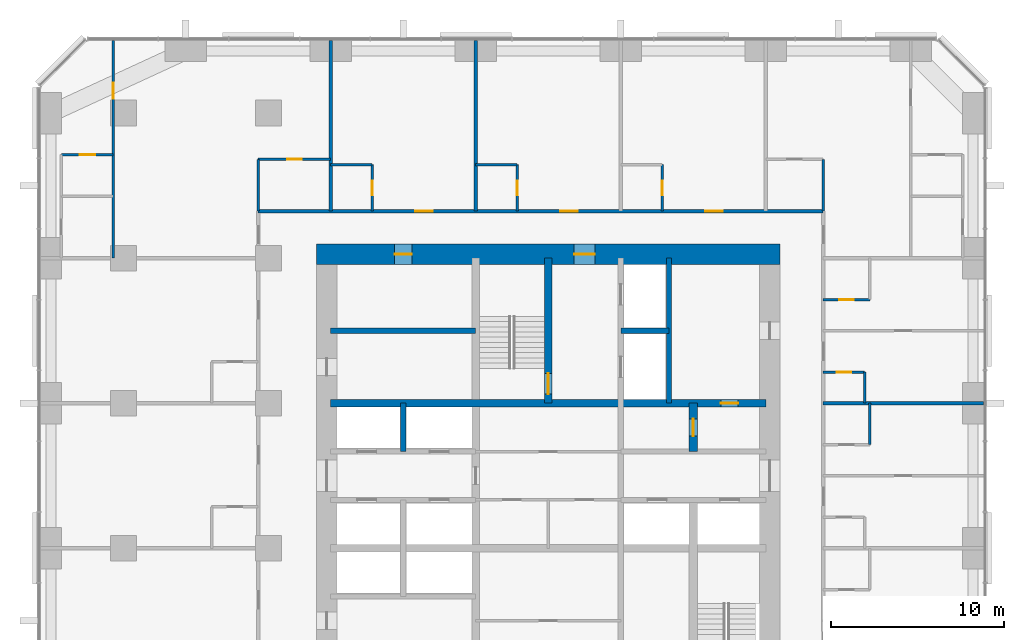
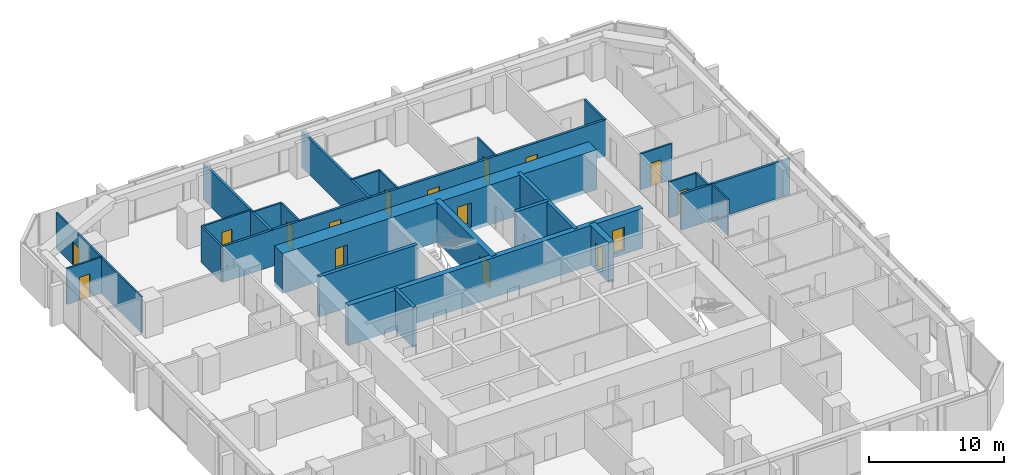
# One storey, part 11 of 13: 26 walls, 16 doors, 16 openings.
"""IFC4 building model written with IfcOpenShell, lengths in metres."""

from ifc_helpers import new_model, si_unit, direction, frame, frame_2d, origin, place, context, subcontext, project, spatial, rectangle, extrude, material, layer, layer_set, type_object, element, fill, save


model = new_model("IFC4")

# Units and contexts
model_context = context("Model", 3, precision=1e-05, world=origin(), true_north=direction((0.0, 1.0)))
body_context = subcontext(model_context, "Body", "Model", "MODEL_VIEW")
ifc_project = project(units=[si_unit("LENGTHUNIT", "METRE"), si_unit("AREAUNIT", "SQUARE_METRE"), si_unit("VOLUMEUNIT", "CUBIC_METRE"), si_unit("PLANEANGLEUNIT", "RADIAN"), si_unit("MASSUNIT", "GRAM", prefix="KILO")], contexts=[model_context])

# Site, building, storey
site_placement = place(None, origin())
site = spatial("IfcSite", under=ifc_project, at=site_placement, CompositionType="ELEMENT")
building_placement = place(site_placement, origin())
building = spatial("IfcBuilding", under=site, at=building_placement, Name="Dunama Terrace Hotel", CompositionType="ELEMENT")
storey_placement = place(building_placement, frame((0.0, 0.0, 111.60009765625)))
storey = spatial("IfcBuildingStorey", under=building, at=storey_placement, Name="L28", CompositionType="ELEMENT", Elevation=111.60009765625)

# Wall
ifc_material_1 = material(Name="Gypsum board partition", Category="masonry")
ifc_layer_1 = layer(ifc_material_1, 0.14990234375)
ifc_layer_set_1 = layer_set([ifc_layer_1], Name="Bathroom partition 150")
wall_type_1 = type_object("IfcWallType", Name="Bathroom partition 150", PredefinedType="PARTITIONING", material=ifc_layer_set_1)
wall_1_placement = place(storey_placement, frame((12.60009765625, 44.72509765625, 0.0), z_axis=(0.0, 0.0, 1.0), x_axis=(0.0, 1.0, 0.0)))
element("IfcWall", 1, at=wall_1_placement, inside=storey, type_object=wall_type_1, Name="Bathroom partition 150 L28", PredefinedType="PARTITIONING", context=body_context, shape_type="SweptSolid", body=[
    extrude(rectangle(XDim=3.0, YDim=0.14990234375, at=frame_2d((1.5, 0.0))), origin(), (0.0, 0.0, 1.0), 3.25),
])

# Wall, opening, door
wall_2_placement = place(storey_placement, frame((19.199951171875, 44.72509765625, 0.0), z_axis=(0.0, 0.0, 1.0), x_axis=(0.0, 1.0, 0.0)))
wall_2 = element("IfcWall", 2, at=wall_2_placement, inside=storey, type_object=wall_type_1, Name="Bathroom partition 150 L28", PredefinedType="PARTITIONING", context=body_context, shape_type="SweptSolid", body=[
    extrude(rectangle(XDim=2.699951171875, YDim=0.14990234375, at=frame_2d((1.35009765625, 0.0))), origin(), (0.0, 0.0, 1.0), 3.25),
])
opening_1_placement = place(wall_2_placement, frame((0.925048828125, 0.0, 0.0)))
opening_1 = element("IfcOpeningElement", 3, at=opening_1_placement, cuts=wall_2, Name="Opening L28-29-030", PredefinedType="OPENING", context=body_context, shape_type="SweptSolid", body=[
    extrude(rectangle(XDim=0.85009765625, YDim=2.10009765625, at=frame_2d((0.425048828125, 1.050048828125))), frame((0.0, 0.0849609375, 0.0), z_axis=(0.0, -1.0, 0.0), x_axis=(1.0, 0.0, 0.0)), (0.0, 0.0, 1.0), 0.169921875),
])
ifc_material_2 = material(Name="Timber door with steel frame", Category="steel")
door_type_1 = type_object("IfcDoorType", Name="Bathroom door 850", OperationType="SINGLE_SWING_LEFT", PredefinedType="DOOR", material=ifc_material_2)
door_1_placement = place(opening_1_placement, origin())
door_1 = element("IfcDoor", 4, at=door_1_placement, inside=storey, type_object=door_type_1, Name="Door to en-suite bathroom L28-29-030, type D2", OperationType="SINGLE_SWING_LEFT", OverallHeight=2.10009765625, OverallWidth=0.85009765625, PredefinedType="DOOR", context=body_context, shape_type="SweptSolid", body=[
    extrude(rectangle(XDim=0.85009765625, YDim=2.10009765625, at=frame_2d((0.425048828125, 1.050048828125))), frame((0.0, 0.02490234375, 0.0), z_axis=(0.0, -1.0, 0.0), x_axis=(1.0, 0.0, 0.0)), (0.0, 0.0, 1.0), 0.050048828125),
])
fill(opening_1, door_1)

wall_3_placement = place(storey_placement, frame((27.60009765625, 44.72509765625, 0.0), z_axis=(0.0, 0.0, 1.0), x_axis=(0.0, 1.0, 0.0)))
wall_3 = element("IfcWall", 5, at=wall_3_placement, inside=storey, type_object=wall_type_1, Name="Bathroom partition 150 L28", PredefinedType="PARTITIONING", context=body_context, shape_type="SweptSolid", body=[
    extrude(rectangle(XDim=2.699951171875, YDim=0.14990234375, at=frame_2d((1.35009765625, 0.0))), origin(), (0.0, 0.0, 1.0), 3.25),
])
opening_2_placement = place(wall_3_placement, frame((0.925048828125, 0.0, 0.0)))
opening_2 = element("IfcOpeningElement", 6, at=opening_2_placement, cuts=wall_3, Name="Opening L28-29-032", PredefinedType="OPENING", context=body_context, shape_type="SweptSolid", body=[
    extrude(rectangle(XDim=0.85009765625, YDim=2.10009765625, at=frame_2d((0.425048828125, 1.050048828125))), frame((0.0, 0.0849609375, 0.0), z_axis=(0.0, -1.0, 0.0), x_axis=(1.0, 0.0, 0.0)), (0.0, 0.0, 1.0), 0.169921875),
])
door_2_placement = place(opening_2_placement, origin())
door_2 = element("IfcDoor", 7, at=door_2_placement, inside=storey, type_object=door_type_1, Name="Door to en-suite bathroom L28-29-032, type D2", OperationType="SINGLE_SWING_LEFT", OverallHeight=2.10009765625, OverallWidth=0.85009765625, PredefinedType="DOOR", context=body_context, shape_type="SweptSolid", body=[
    extrude(rectangle(XDim=0.85009765625, YDim=2.10009765625, at=frame_2d((0.425048828125, 1.050048828125))), frame((0.0, 0.02490234375, 0.0), z_axis=(0.0, -1.0, 0.0), x_axis=(1.0, 0.0, 0.0)), (0.0, 0.0, 1.0), 0.050048828125),
])
fill(opening_2, door_2)

wall_4_placement = place(storey_placement, frame((36.0, 44.72509765625, 0.0), z_axis=(0.0, 0.0, 1.0), x_axis=(0.0, 1.0, 0.0)))
wall_4 = element("IfcWall", 8, at=wall_4_placement, inside=storey, type_object=wall_type_1, Name="Bathroom partition 150 L28", PredefinedType="PARTITIONING", context=body_context, shape_type="SweptSolid", body=[
    extrude(rectangle(XDim=2.699951171875, YDim=0.14990234375, at=frame_2d((1.35009765625, 0.0))), origin(), (0.0, 0.0, 1.0), 3.25),
])
opening_3_placement = place(wall_4_placement, frame((0.925048828125, 0.0, 0.0)))
opening_3 = element("IfcOpeningElement", 9, at=opening_3_placement, cuts=wall_4, Name="Opening L28-29-034", PredefinedType="OPENING", context=body_context, shape_type="SweptSolid", body=[
    extrude(rectangle(XDim=0.85009765625, YDim=2.10009765625, at=frame_2d((0.425048828125, 1.050048828125))), frame((0.0, 0.0849609375, 0.0), z_axis=(0.0, -1.0, 0.0), x_axis=(1.0, 0.0, 0.0)), (0.0, 0.0, 1.0), 0.169921875),
])
door_3_placement = place(opening_3_placement, origin())
door_3 = element("IfcDoor", 10, at=door_3_placement, inside=storey, type_object=door_type_1, Name="Door to en-suite bathroom L28-29-034, type D2", OperationType="SINGLE_SWING_LEFT", OverallHeight=2.10009765625, OverallWidth=0.85009765625, PredefinedType="DOOR", context=body_context, shape_type="SweptSolid", body=[
    extrude(rectangle(XDim=0.85009765625, YDim=2.10009765625, at=frame_2d((0.425048828125, 1.050048828125))), frame((0.0, 0.02490234375, 0.0), z_axis=(0.0, -1.0, 0.0), x_axis=(1.0, 0.0, 0.0)), (0.0, 0.0, 1.0), 0.050048828125),
])
fill(opening_3, door_3)

# Walls
wall_5_placement = place(storey_placement, frame((45.324951171875, 44.72509765625, 0.0), z_axis=(0.0, 0.0, 1.0), x_axis=(0.0, 1.0, 0.0)))
element("IfcWall", 11, at=wall_5_placement, inside=storey, type_object=wall_type_1, Name="Bathroom partition 150 L28", PredefinedType="PARTITIONING", context=body_context, shape_type="SweptSolid", body=[
    extrude(rectangle(XDim=3.0, YDim=0.14990234375, at=frame_2d((1.5, 0.0))), origin(), (0.0, 0.0, 1.0), 3.25),
])
wall_6_placement = place(storey_placement, frame((47.72509765625, 33.60009765625, 0.0), z_axis=(0.0, 0.0, 1.0), x_axis=(0.0, 1.0, 0.0)))
element("IfcWall", 12, at=wall_6_placement, inside=storey, type_object=wall_type_1, Name="Bathroom partition 150 L28", PredefinedType="PARTITIONING", context=body_context, shape_type="SweptSolid", body=[
    extrude(rectangle(XDim=1.7998046875, YDim=0.14990234375, at=frame_2d((0.89990234375, 0.0))), origin(), (0.0, 0.0, 1.0), 3.25),
])
wall_7_placement = place(storey_placement, frame((48.02490234375, 31.199951171875, 0.0), z_axis=(0.0, 0.0, 1.0), x_axis=(0.0, 1.0, 0.0)))
element("IfcWall", 13, at=wall_7_placement, inside=storey, type_object=wall_type_1, Name="Bathroom partition 150 L28", PredefinedType="PARTITIONING", context=body_context, shape_type="SweptSolid", body=[
    extrude(rectangle(XDim=2.400146484375, YDim=0.14990234375, at=frame_2d((1.2001953125, 0.0))), origin(), (0.0, 0.0, 1.0), 3.25),
])

# Wall, opening, door
wall_8_placement = place(storey_placement, frame((45.324951171875, 35.39990234375, 0.0), z_axis=(0.0, 0.0, 1.0), x_axis=(1.0, 0.0, 0.0)))
wall_8 = element("IfcWall", 14, at=wall_8_placement, inside=storey, type_object=wall_type_1, Name="Bathroom partition 150 L28", PredefinedType="PARTITIONING", context=body_context, shape_type="SweptSolid", body=[
    extrude(rectangle(XDim=2.400146484375, YDim=0.14990234375, at=frame_2d((1.2001953125, 0.0))), origin(), (0.0, 0.0, 1.0), 3.25),
])
opening_4_placement = place(wall_8_placement, frame((0.77490234375, 0.0, 0.0)))
opening_4 = element("IfcOpeningElement", 15, at=opening_4_placement, cuts=wall_8, Name="Opening L28-29-026", PredefinedType="OPENING", context=body_context, shape_type="SweptSolid", body=[
    extrude(rectangle(XDim=0.85009765625, YDim=2.10009765625, at=frame_2d((0.425048828125, 1.050048828125))), frame((0.0, 0.0849609375, 0.0), z_axis=(0.0, -1.0, 0.0), x_axis=(1.0, 0.0, 0.0)), (0.0, 0.0, 1.0), 0.169921875),
])
door_4_placement = place(opening_4_placement, frame((0.85009765625, 0.0, 0.0), z_axis=(0.0, 0.0, 1.0), x_axis=(-1.0, 0.0, 0.0)))
door_4 = element("IfcDoor", 16, at=door_4_placement, inside=storey, type_object=door_type_1, Name="Door to powder room L28-29-026, type D2", OperationType="SINGLE_SWING_RIGHT", OverallHeight=2.10009765625, OverallWidth=0.85009765625, PredefinedType="DOOR", context=body_context, shape_type="SweptSolid", body=[
    extrude(rectangle(XDim=0.85009765625, YDim=2.10009765625, at=frame_2d((0.425048828125, 1.050048828125))), frame((0.0, 0.025146484375, 0.0), z_axis=(0.0, -1.0, 0.0), x_axis=(1.0, 0.0, 0.0)), (0.0, 0.0, 1.0), 0.050048828125),
])
fill(opening_4, door_4)

wall_9_placement = place(storey_placement, frame((45.324951171875, 39.60009765625, 0.0), z_axis=(0.0, 0.0, 1.0), x_axis=(1.0, 0.0, 0.0)))
wall_9 = element("IfcWall", 17, at=wall_9_placement, inside=storey, type_object=wall_type_1, Name="Bathroom partition 150 L28", PredefinedType="PARTITIONING", context=body_context, shape_type="SweptSolid", body=[
    extrude(rectangle(XDim=2.699951171875, YDim=0.14990234375, at=frame_2d((1.35009765625, 0.0))), origin(), (0.0, 0.0, 1.0), 3.25),
])
opening_5_placement = place(wall_9_placement, frame((0.925048828125, 0.0, 0.0)))
opening_5 = element("IfcOpeningElement", 18, at=opening_5_placement, cuts=wall_9, Name="Opening L28-29-028", PredefinedType="OPENING", context=body_context, shape_type="SweptSolid", body=[
    extrude(rectangle(XDim=0.85009765625, YDim=2.10009765625, at=frame_2d((0.425048828125, 1.050048828125))), frame((0.0, 0.0849609375, 0.0), z_axis=(0.0, -1.0, 0.0), x_axis=(1.0, 0.0, 0.0)), (0.0, 0.0, 1.0), 0.169921875),
])
door_5_placement = place(opening_5_placement, origin())
door_5 = element("IfcDoor", 19, at=door_5_placement, inside=storey, type_object=door_type_1, Name="Door to en-suite bathroom L28-29-028, type D2", OperationType="SINGLE_SWING_LEFT", OverallHeight=2.10009765625, OverallWidth=0.85009765625, PredefinedType="DOOR", context=body_context, shape_type="SweptSolid", body=[
    extrude(rectangle(XDim=0.85009765625, YDim=2.10009765625, at=frame_2d((0.425048828125, 1.050048828125))), frame((0.0, 0.02490234375, 0.0), z_axis=(0.0, -1.0, 0.0), x_axis=(1.0, 0.0, 0.0)), (0.0, 0.0, 1.0), 0.050048828125),
])
fill(opening_5, door_5)

# Walls
wall_10_placement = place(storey_placement, frame((16.800048828125, 47.425048828125, 0.0), z_axis=(0.0, 0.0, 1.0), x_axis=(1.0, 0.0, 0.0)))
element("IfcWall", 20, at=wall_10_placement, inside=storey, type_object=wall_type_1, Name="Bathroom partition 150 L28", PredefinedType="PARTITIONING", context=body_context, shape_type="SweptSolid", body=[
    extrude(rectangle(XDim=2.39990234375, YDim=0.14990234375, at=frame_2d((1.199951171875, 0.0))), origin(), (0.0, 0.0, 1.0), 3.25),
])
wall_11_placement = place(storey_placement, frame((25.199951171875, 47.425048828125, 0.0), z_axis=(0.0, 0.0, 1.0), x_axis=(1.0, 0.0, 0.0)))
element("IfcWall", 21, at=wall_11_placement, inside=storey, type_object=wall_type_1, Name="Bathroom partition 150 L28", PredefinedType="PARTITIONING", context=body_context, shape_type="SweptSolid", body=[
    extrude(rectangle(XDim=2.400146484375, YDim=0.14990234375, at=frame_2d((1.2001953125, 0.0))), origin(), (0.0, 0.0, 1.0), 3.25),
])

# Wall, opening, door
wall_12_placement = place(storey_placement, frame((12.60009765625, 47.72509765625, 0.0), z_axis=(0.0, 0.0, 1.0), x_axis=(1.0, 0.0, 0.0)))
wall_12 = element("IfcWall", 22, at=wall_12_placement, inside=storey, type_object=wall_type_1, Name="Bathroom partition 150 L28", PredefinedType="PARTITIONING", context=body_context, shape_type="SweptSolid", body=[
    extrude(rectangle(XDim=4.199951171875, YDim=0.14990234375, at=frame_2d((2.10009765625, 0.0))), origin(), (0.0, 0.0, 1.0), 3.25),
])
opening_6_placement = place(wall_12_placement, frame((1.675048828125, 0.0, 0.0)))
opening_6 = element("IfcOpeningElement", 23, at=opening_6_placement, cuts=wall_12, Name="Opening L28-29-057", PredefinedType="OPENING", context=body_context, shape_type="SweptSolid", body=[
    extrude(rectangle(XDim=0.85009765625, YDim=2.10009765625, at=frame_2d((0.425048828125, 1.050048828125))), frame((0.0, 0.0849609375, 0.0), z_axis=(0.0, -1.0, 0.0), x_axis=(1.0, 0.0, 0.0)), (0.0, 0.0, 1.0), 0.169921875),
])
door_6_placement = place(opening_6_placement, frame((0.85009765625, 0.0, 0.0), z_axis=(0.0, 0.0, 1.0), x_axis=(-1.0, 0.0, 0.0)))
door_6 = element("IfcDoor", 24, at=door_6_placement, inside=storey, type_object=door_type_1, Name="Door to powder room L28-29-057, type D2", OperationType="SINGLE_SWING_LEFT", OverallHeight=2.10009765625, OverallWidth=0.85009765625, PredefinedType="DOOR", context=body_context, shape_type="SweptSolid", body=[
    extrude(rectangle(XDim=0.85009765625, YDim=2.10009765625, at=frame_2d((0.425048828125, 1.050048828125))), frame((0.0, 0.025146484375, 0.0), z_axis=(0.0, -1.0, 0.0), x_axis=(1.0, 0.0, 0.0)), (0.0, 0.0, 1.0), 0.050048828125),
])
fill(opening_6, door_6)

# Walls
ifc_material_3 = material(Name="Concrete C50/60", Category="concrete")
ifc_layer_2 = layer(ifc_material_3, 0.300048828125)
ifc_layer_set_2 = layer_set([ifc_layer_2], Name="Core inner wall 300")
wall_type_2 = type_object("IfcWallType", Name="Core inner wall 300", PredefinedType="SHEAR", material=ifc_layer_set_2)
wall_13_placement = place(storey_placement, frame((21.0, 30.800048828125, -0.35009765625), z_axis=(0.0, 0.0, 1.0), x_axis=(0.0, 1.0, 0.0)))
element("IfcWall", 25, at=wall_13_placement, inside=storey, type_object=wall_type_2, Name="Core inner wall 300 L28", PredefinedType="SHEAR", context=body_context, shape_type="SweptSolid", body=[
    extrude(rectangle(XDim=2.800048828125, YDim=0.300048828125, at=frame_2d((1.39990234375, 0.0))), origin(), (0.0, 0.0, 1.0), 3.60009765625),
])
for number, where, z_axis, x_axis, name in (
    (26, (36.39990234375, 33.60009765625, -0.35009765625), (0.0, 0.0, 1.0), (0.0, 1.0, 0.0), "Core inner wall 300 L28"),
    (27, (16.800048828125, 37.800048828125, -0.35009765625), (0.0, 0.0, 1.0), (1.0, 0.0, 0.0), "Core inner wall 300 L28"),
):
    element("IfcWall", number, at=place(storey_placement, frame(where, z_axis=z_axis, x_axis=x_axis)), inside=storey, type_object=wall_type_2, Name=name, PredefinedType="SHEAR", context=body_context, shape_type="SweptSolid", body=[
        extrude(rectangle(XDim=8.39990234375, YDim=0.300048828125, at=frame_2d((4.199951171875, 0.0))), origin(), (0.0, 0.0, 1.0), 3.60009765625),
    ])
wall_14_placement = place(storey_placement, frame((33.60009765625, 37.800048828125, -0.35009765625), z_axis=(0.0, 0.0, 1.0), x_axis=(1.0, 0.0, 0.0)))
element("IfcWall", 28, at=wall_14_placement, inside=storey, type_object=wall_type_2, Name="Core inner wall 300 L28", PredefinedType="SHEAR", context=body_context, shape_type="SweptSolid", body=[
    extrude(rectangle(XDim=2.7998046875, YDim=0.300048828125, at=frame_2d((1.39990234375, 0.0))), origin(), (0.0, 0.0, 1.0), 3.60009765625),
])

# Wall, opening, door
ifc_material_4 = material(Name="Concrete C50/60", Category="concrete")
ifc_layer_3 = layer(ifc_material_4, 0.449951171875)
ifc_layer_set_3 = layer_set([ifc_layer_3], Name="Core inner wall 450")
wall_type_3 = type_object("IfcWallType", Name="Core inner wall 450", PredefinedType="SHEAR", material=ifc_layer_set_3)
wall_15_placement = place(storey_placement, frame((29.39990234375, 33.60009765625, -0.35009765625), z_axis=(0.0, 0.0, 1.0), x_axis=(0.0, 1.0, 0.0)))
wall_15 = element("IfcWall", 29, at=wall_15_placement, inside=storey, type_object=wall_type_3, Name="Core inner wall 450 L28", PredefinedType="SHEAR", context=body_context, shape_type="SweptSolid", body=[
    extrude(rectangle(XDim=8.39990234375, YDim=0.449951171875, at=frame_2d((4.199951171875, 0.0))), origin(), (0.0, 0.0, 1.0), 3.60009765625),
])
opening_7_placement = place(wall_15_placement, frame((0.52490234375, 0.0, 0.35009765625)))
opening_7 = element("IfcOpeningElement", 30, at=opening_7_placement, cuts=wall_15, Name="Opening L28-29-001", PredefinedType="OPENING", context=body_context, shape_type="SweptSolid", body=[
    extrude(rectangle(XDim=1.199951171875, YDim=2.199951171875, at=frame_2d((0.60009765625, 1.10009765625))), frame((0.0, 0.23486328125, 0.0), z_axis=(0.0, -1.0, 0.0), x_axis=(1.0, 0.0, 0.0)), (0.0, 0.0, 1.0), 0.469970703125),
])
ifc_material_5 = material(Name="Timber door with steel frame", Category="steel")
door_type_2 = type_object("IfcDoorType", Name="Stair door 1200", OperationType="SINGLE_SWING_LEFT", PredefinedType="DOOR", material=ifc_material_5)
door_7_placement = place(opening_7_placement, origin())
door_7 = element("IfcDoor", 31, at=door_7_placement, inside=storey, type_object=door_type_2, Name="Stair door ST1 L28-29-001, type D5", OperationType="SINGLE_SWING_LEFT", OverallHeight=2.199951171875, OverallWidth=1.199951171875, PredefinedType="DOOR", context=body_context, shape_type="SweptSolid", body=[
    extrude(rectangle(XDim=1.199951171875, YDim=2.199951171875, at=frame_2d((0.60009765625, 1.10009765625))), frame((0.0, 0.02490234375, 0.0), z_axis=(0.0, -1.0, 0.0), x_axis=(1.0, 0.0, 0.0)), (0.0, 0.0, 1.0), 0.050048828125),
])
fill(opening_7, door_7)

wall_16_placement = place(storey_placement, frame((16.800048828125, 33.60009765625, -0.35009765625), z_axis=(0.0, 0.0, 1.0), x_axis=(1.0, 0.0, 0.0)))
wall_16 = element("IfcWall", 32, at=wall_16_placement, inside=storey, type_object=wall_type_3, Name="Core inner wall 450 L28", PredefinedType="SHEAR", context=body_context, shape_type="SweptSolid", body=[
    extrude(rectangle(XDim=25.199951171875, YDim=0.449951171875, at=frame_2d((12.60009765625, 0.0))), origin(), (0.0, 0.0, 1.0), 3.60009765625),
])
opening_8_placement = place(wall_16_placement, frame((22.60009765625, 0.0, 0.35009765625)))
opening_8 = element("IfcOpeningElement", 33, at=opening_8_placement, cuts=wall_16, Name="Opening L28-29-070", PredefinedType="OPENING", context=body_context, shape_type="SweptSolid", body=[
    extrude(rectangle(XDim=1.0, YDim=2.10009765625, at=frame_2d((0.5, 1.050048828125))), frame((0.0, 0.23486328125, 0.0), z_axis=(0.0, -1.0, 0.0), x_axis=(1.0, 0.0, 0.0)), (0.0, 0.0, 1.0), 0.469970703125),
])
ifc_material_6 = material(Name="Timber door with steel frame", Category="steel")
door_type_3 = type_object("IfcDoorType", Name="Service door 1000", OperationType="SINGLE_SWING_LEFT", PredefinedType="DOOR", material=ifc_material_6)
door_8_placement = place(opening_8_placement, frame((1.0, 0.0, 0.0), z_axis=(0.0, 0.0, 1.0), x_axis=(-1.0, 0.0, 0.0)))
door_8 = element("IfcDoor", 34, at=door_8_placement, inside=storey, type_object=door_type_3, Name="Door to housekeeping and linen store L28-29-070, type D7", OperationType="SINGLE_SWING_LEFT", OverallHeight=2.10009765625, OverallWidth=1.0, PredefinedType="DOOR", context=body_context, shape_type="SweptSolid", body=[
    extrude(rectangle(XDim=1.0, YDim=2.10009765625, at=frame_2d((0.5, 1.050048828125))), frame((0.0, 0.025146484375, 0.0), z_axis=(0.0, -1.0, 0.0), x_axis=(1.0, 0.0, 0.0)), (0.0, 0.0, 1.0), 0.050048828125),
])
fill(opening_8, door_8)

ifc_material_7 = material(Name="Concrete C50/60", Category="concrete")
ifc_layer_4 = layer(ifc_material_7, 0.5)
ifc_layer_set_4 = layer_set([ifc_layer_4], Name="Core inner wall 500")
wall_type_4 = type_object("IfcWallType", Name="Core inner wall 500", PredefinedType="SHEAR", material=ifc_layer_set_4)
wall_17_placement = place(storey_placement, frame((37.800048828125, 30.800048828125, -0.35009765625), z_axis=(0.0, 0.0, 1.0), x_axis=(0.0, 1.0, 0.0)))
wall_17 = element("IfcWall", 35, at=wall_17_placement, inside=storey, type_object=wall_type_4, Name="Core inner wall 500 L28", PredefinedType="SHEAR", context=body_context, shape_type="SweptSolid", body=[
    extrude(rectangle(XDim=2.800048828125, YDim=0.5, at=frame_2d((1.39990234375, 0.0))), origin(), (0.0, 0.0, 1.0), 3.60009765625),
])
opening_9_placement = place(wall_17_placement, frame((0.89990234375, 0.0, 0.35009765625)))
opening_9 = element("IfcOpeningElement", 36, at=opening_9_placement, cuts=wall_17, Name="Opening L28-29-069", PredefinedType="OPENING", context=body_context, shape_type="SweptSolid", body=[
    extrude(rectangle(XDim=1.0, YDim=2.10009765625, at=frame_2d((0.5, 1.050048828125))), frame((0.0, 0.260009765625, 0.0), z_axis=(0.0, -1.0, 0.0), x_axis=(1.0, 0.0, 0.0)), (0.0, 0.0, 1.0), 0.52001953125),
])
door_9_placement = place(opening_9_placement, frame((1.0, 0.0, 0.0), z_axis=(0.0, 0.0, 1.0), x_axis=(-1.0, 0.0, 0.0)))
door_9 = element("IfcDoor", 37, at=door_9_placement, inside=storey, type_object=door_type_3, Name="Door to service riser L28-29-069, type D7", OperationType="SINGLE_SWING_LEFT", OverallHeight=2.10009765625, OverallWidth=1.0, PredefinedType="DOOR", context=body_context, shape_type="SweptSolid", body=[
    extrude(rectangle(XDim=1.0, YDim=2.10009765625, at=frame_2d((0.5, 1.050048828125))), frame((0.0, 0.025146484375, 0.0), z_axis=(0.0, -1.0, 0.0), x_axis=(1.0, 0.0, 0.0)), (0.0, 0.0, 1.0), 0.050048828125),
])
fill(opening_9, door_9)

# Wall, openings, doors
ifc_material_8 = material(Name="Concrete C60/75", Category="concrete")
ifc_layer_5 = layer(ifc_material_8, 1.199951171875)
ifc_layer_set_5 = layer_set([ifc_layer_5], Name="Core wall 1200")
wall_type_5 = type_object("IfcWallType", Name="Core wall 1200", PredefinedType="SHEAR", material=ifc_layer_set_5)
wall_18_placement = place(storey_placement, frame((42.824951171875, 42.22509765625, -0.35009765625), z_axis=(0.0, 0.0, 1.0), x_axis=(-1.0, 0.0, 0.0)))
wall_18 = element("IfcWall", 38, at=wall_18_placement, inside=storey, type_object=wall_type_5, Name="Core wall north L28", PredefinedType="SHEAR", context=body_context, shape_type="SweptSolid", body=[
    extrude(rectangle(XDim=26.849853515625, YDim=1.199951171875, at=frame_2d((13.4248046875, 0.0))), origin(), (0.0, 0.0, 1.0), 3.60009765625),
])
opening_10_placement = place(wall_18_placement, frame((21.324951171875, 0.0, 0.35009765625)))
opening_10 = element("IfcOpeningElement", 39, at=opening_10_placement, cuts=wall_18, Name="Opening L28-29-064", PredefinedType="OPENING", context=body_context, shape_type="SweptSolid", body=[
    extrude(rectangle(XDim=1.0, YDim=2.10009765625, at=frame_2d((0.5, 1.050048828125))), frame((0.0, 0.60986328125, 0.0), z_axis=(0.0, -1.0, 0.0), x_axis=(1.0, 0.0, 0.0)), (0.0, 0.0, 1.0), 1.219970703125),
])
opening_11_placement = place(wall_18_placement, frame((10.72509765625, 0.0, 0.35009765625)))
opening_11 = element("IfcOpeningElement", 40, at=opening_11_placement, cuts=wall_18, Name="Opening L28-29-072", PredefinedType="OPENING", context=body_context, shape_type="SweptSolid", body=[
    extrude(rectangle(XDim=1.199951171875, YDim=2.199951171875, at=frame_2d((0.60009765625, 1.10009765625))), frame((0.0, 0.60986328125, 0.0), z_axis=(0.0, -1.0, 0.0), x_axis=(1.0, 0.0, 0.0)), (0.0, 0.0, 1.0), 1.219970703125),
])
ifc_material_9 = material(Name="Timber door with steel frame", Category="steel")
door_type_4 = type_object("IfcDoorType", Name="Firefighting lobby door 1200", OperationType="SINGLE_SWING_LEFT", PredefinedType="DOOR", material=ifc_material_9)
door_10_placement = place(opening_11_placement, origin())
door_10 = element("IfcDoor", 41, at=door_10_placement, inside=storey, type_object=door_type_4, Name="Door to firefighting lobby L28-29-072, type D4", OperationType="SINGLE_SWING_RIGHT", OverallHeight=2.199951171875, OverallWidth=1.199951171875, PredefinedType="DOOR", context=body_context, shape_type="SweptSolid", body=[
    extrude(rectangle(XDim=1.199951171875, YDim=2.199951171875, at=frame_2d((0.60009765625, 1.10009765625))), frame((0.0, 0.02490234375, 0.0), z_axis=(0.0, -1.0, 0.0), x_axis=(1.0, 0.0, 0.0)), (0.0, 0.0, 1.0), 0.050048828125),
])
fill(opening_11, door_10)
door_11_placement = place(opening_10_placement, origin())
door_11 = element("IfcDoor", 42, at=door_11_placement, inside=storey, type_object=door_type_3, Name="Door to communications and riser room L28-29-064, type D7", OperationType="SINGLE_SWING_LEFT", OverallHeight=2.10009765625, OverallWidth=1.0, PredefinedType="DOOR", context=body_context, shape_type="SweptSolid", body=[
    extrude(rectangle(XDim=1.0, YDim=2.10009765625, at=frame_2d((0.5, 1.050048828125))), frame((0.0, 0.02490234375, 0.0), z_axis=(0.0, -1.0, 0.0), x_axis=(1.0, 0.0, 0.0)), (0.0, 0.0, 1.0), 0.050048828125),
])
fill(opening_10, door_11)

ifc_material_10 = material(Name="Concrete blockwork", Category="masonry")
ifc_layer_6 = layer(ifc_material_10, 0.199951171875)
ifc_layer_set_6 = layer_set([ifc_layer_6], Name="Corridor partition 200")
wall_type_6 = type_object("IfcWallType", Name="Corridor partition 200", PredefinedType="PARTITIONING", material=ifc_layer_set_6)
wall_19_placement = place(storey_placement, frame((12.60009765625, 44.72509765625, 0.0), z_axis=(0.0, 0.0, 1.0), x_axis=(1.0, 0.0, 0.0)))
wall_19 = element("IfcWall", 43, at=wall_19_placement, inside=storey, type_object=wall_type_6, Name="Corridor partition 200 L28", PredefinedType="PARTITIONING", context=body_context, shape_type="SweptSolid", body=[
    extrude(rectangle(XDim=32.724853515625, YDim=0.199951171875, at=frame_2d((16.3623046875, 0.0))), origin(), (0.0, 0.0, 1.0), 3.25),
])
opening_12_placement = place(wall_19_placement, frame((9.10009765625, 0.0, 0.0)))
opening_12 = element("IfcOpeningElement", 44, at=opening_12_placement, cuts=wall_19, Name="Opening L28-29-029", PredefinedType="OPENING", context=body_context, shape_type="SweptSolid", body=[
    extrude(rectangle(XDim=1.0, YDim=2.199951171875, at=frame_2d((0.5, 1.10009765625))), frame((0.0, 0.10986328125, 0.0), z_axis=(0.0, -1.0, 0.0), x_axis=(1.0, 0.0, 0.0)), (0.0, 0.0, 1.0), 0.219970703125),
])
opening_13_placement = place(wall_19_placement, frame((17.5, 0.0, 0.0)))
opening_13 = element("IfcOpeningElement", 45, at=opening_13_placement, cuts=wall_19, Name="Opening L28-29-031", PredefinedType="OPENING", context=body_context, shape_type="SweptSolid", body=[
    extrude(rectangle(XDim=1.0, YDim=2.199951171875, at=frame_2d((0.5, 1.10009765625))), frame((0.0, 0.10986328125, 0.0), z_axis=(0.0, -1.0, 0.0), x_axis=(1.0, 0.0, 0.0)), (0.0, 0.0, 1.0), 0.219970703125),
])
opening_14_placement = place(wall_19_placement, frame((25.89990234375, 0.0, 0.0)))
opening_14 = element("IfcOpeningElement", 46, at=opening_14_placement, cuts=wall_19, Name="Opening L28-29-033", PredefinedType="OPENING", context=body_context, shape_type="SweptSolid", body=[
    extrude(rectangle(XDim=1.0, YDim=2.199951171875, at=frame_2d((0.5, 1.10009765625))), frame((0.0, 0.10986328125, 0.0), z_axis=(0.0, -1.0, 0.0), x_axis=(1.0, 0.0, 0.0)), (0.0, 0.0, 1.0), 0.219970703125),
])
ifc_material_11 = material(Name="Timber door with steel frame", Category="steel")
door_type_5 = type_object("IfcDoorType", Name="Guest room door 1000", OperationType="SINGLE_SWING_LEFT", PredefinedType="DOOR", material=ifc_material_11)
door_12_placement = place(opening_12_placement, origin())
door_12 = element("IfcDoor", 47, at=door_12_placement, inside=storey, type_object=door_type_5, Name="Door to junior suite L28-29-029, type D1", OperationType="SINGLE_SWING_LEFT", OverallHeight=2.199951171875, OverallWidth=1.0, PredefinedType="DOOR", context=body_context, shape_type="SweptSolid", body=[
    extrude(rectangle(XDim=1.0, YDim=2.199951171875, at=frame_2d((0.5, 1.10009765625))), frame((0.0, 0.02490234375, 0.0), z_axis=(0.0, -1.0, 0.0), x_axis=(1.0, 0.0, 0.0)), (0.0, 0.0, 1.0), 0.050048828125),
])
fill(opening_12, door_12)
door_13_placement = place(opening_13_placement, origin())
door_13 = element("IfcDoor", 48, at=door_13_placement, inside=storey, type_object=door_type_5, Name="Door to junior suite L28-29-031, type D1", OperationType="SINGLE_SWING_LEFT", OverallHeight=2.199951171875, OverallWidth=1.0, PredefinedType="DOOR", context=body_context, shape_type="SweptSolid", body=[
    extrude(rectangle(XDim=1.0, YDim=2.199951171875, at=frame_2d((0.5, 1.10009765625))), frame((0.0, 0.02490234375, 0.0), z_axis=(0.0, -1.0, 0.0), x_axis=(1.0, 0.0, 0.0)), (0.0, 0.0, 1.0), 0.050048828125),
])
fill(opening_13, door_13)
door_14_placement = place(opening_14_placement, origin())
door_14 = element("IfcDoor", 49, at=door_14_placement, inside=storey, type_object=door_type_5, Name="Door to junior suite L28-29-033, type D1", OperationType="SINGLE_SWING_LEFT", OverallHeight=2.199951171875, OverallWidth=1.0, PredefinedType="DOOR", context=body_context, shape_type="SweptSolid", body=[
    extrude(rectangle(XDim=1.0, YDim=2.199951171875, at=frame_2d((0.5, 1.10009765625))), frame((0.0, 0.02490234375, 0.0), z_axis=(0.0, -1.0, 0.0), x_axis=(1.0, 0.0, 0.0)), (0.0, 0.0, 1.0), 0.050048828125),
])
fill(opening_14, door_14)

# Walls
ifc_material_12 = material(Name="Concrete blockwork", Category="masonry")
ifc_layer_7 = layer(ifc_material_12, 0.199951171875)
ifc_layer_set_7 = layer_set([ifc_layer_7], Name="Party wall 200")
wall_type_7 = type_object("IfcWallType", Name="Party wall 200", PredefinedType="PARTITIONING", material=ifc_layer_set_7)
for number, where, z_axis, x_axis, name in (
    (50, (16.800048828125, 44.72509765625, 0.0), (0.0, 0.0, 1.0), (0.0, 1.0, 0.0), "Party wall 200 L28"),
    (51, (25.199951171875, 44.72509765625, 0.0), (0.0, 0.0, 1.0), (0.0, 1.0, 0.0), "Party wall 200 L28"),
):
    element("IfcWall", number, at=place(storey_placement, frame(where, z_axis=z_axis, x_axis=x_axis)), inside=storey, type_object=wall_type_7, Name=name, PredefinedType="PARTITIONING", context=body_context, shape_type="SweptSolid", body=[
        extrude(rectangle(XDim=9.892822265625, YDim=0.199951171875, at=frame_2d((4.9462890625, 0.0))), origin(), (0.0, 0.0, 1.0), 3.25),
    ])
wall_20_placement = place(storey_placement, frame((45.324951171875, 33.60009765625, 0.0), z_axis=(0.0, 0.0, 1.0), x_axis=(1.0, 0.0, 0.0)))
element("IfcWall", 52, at=wall_20_placement, inside=storey, type_object=wall_type_7, Name="Party wall 200 L28", PredefinedType="PARTITIONING", context=body_context, shape_type="SweptSolid", body=[
    extrude(rectangle(XDim=9.29296875, YDim=0.199951171875, at=frame_2d((4.646484375, 0.0))), origin(), (0.0, 0.0, 1.0), 3.25),
])

# Wall, opening, door
ifc_material_13 = material(Name="Gypsum board partition", Category="masonry")
ifc_layer_8 = layer(ifc_material_13, 0.14990234375)
ifc_layer_set_8 = layer_set([ifc_layer_8], Name="Room partition 150")
wall_type_8 = type_object("IfcWallType", Name="Room partition 150", PredefinedType="PARTITIONING", material=ifc_layer_set_8)
wall_21_placement = place(storey_placement, frame((4.199951171875, 42.0, 0.0), z_axis=(0.0, 0.0, 1.0), x_axis=(0.0, 1.0, 0.0)))
wall_21 = element("IfcWall", 53, at=wall_21_placement, inside=storey, type_object=wall_type_8, Name="Room partition 150 L28", PredefinedType="PARTITIONING", context=body_context, shape_type="SweptSolid", body=[
    extrude(rectangle(XDim=12.617919921875, YDim=0.14990234375, at=frame_2d((6.30908203125, 0.0))), origin(), (0.0, 0.0, 1.0), 3.25),
])
opening_15_placement = place(wall_21_placement, frame((9.25, 0.0, 0.0)))
opening_15 = element("IfcOpeningElement", 54, at=opening_15_placement, cuts=wall_21, Name="Opening L28-29-058", PredefinedType="OPENING", context=body_context, shape_type="SweptSolid", body=[
    extrude(rectangle(XDim=0.89990234375, YDim=2.10009765625, at=frame_2d((0.449951171875, 1.050048828125))), frame((0.0, 0.0849609375, 0.0), z_axis=(0.0, -1.0, 0.0), x_axis=(1.0, 0.0, 0.0)), (0.0, 0.0, 1.0), 0.169921875),
])
ifc_material_14 = material(Name="Timber door with steel frame", Category="steel")
door_type_6 = type_object("IfcDoorType", Name="Suite internal door 900", OperationType="SINGLE_SWING_LEFT", PredefinedType="DOOR", material=ifc_material_14)
door_15_placement = place(opening_15_placement, origin())
door_15 = element("IfcDoor", 55, at=door_15_placement, inside=storey, type_object=door_type_6, Name="Door to corner suite bedroom L28-29-058, type D16", OperationType="SINGLE_SWING_LEFT", OverallHeight=2.10009765625, OverallWidth=0.89990234375, PredefinedType="DOOR", context=body_context, shape_type="SweptSolid", body=[
    extrude(rectangle(XDim=0.89990234375, YDim=2.10009765625, at=frame_2d((0.449951171875, 1.050048828125))), frame((0.0, 0.02490234375, 0.0), z_axis=(0.0, -1.0, 0.0), x_axis=(1.0, 0.0, 0.0)), (0.0, 0.0, 1.0), 0.050048828125),
])
fill(opening_15, door_15)

wall_22_placement = place(storey_placement, frame((1.199951171875, 48.0, 0.0), z_axis=(0.0, 0.0, 1.0), x_axis=(1.0, 0.0, 0.0)))
wall_22 = element("IfcWall", 56, at=wall_22_placement, inside=storey, type_object=wall_type_8, Name="Room partition 150 L28", PredefinedType="PARTITIONING", context=body_context, shape_type="SweptSolid", body=[
    extrude(rectangle(XDim=3.0, YDim=0.14990234375, at=frame_2d((1.5, 0.0))), origin(), (0.0, 0.0, 1.0), 3.25),
])
opening_16_placement = place(wall_22_placement, frame((1.050048828125, 0.0, 0.0)))
opening_16 = element("IfcOpeningElement", 57, at=opening_16_placement, cuts=wall_22, Name="Opening L28-29-060", PredefinedType="OPENING", context=body_context, shape_type="SweptSolid", body=[
    extrude(rectangle(XDim=0.89990234375, YDim=2.10009765625, at=frame_2d((0.449951171875, 1.050048828125))), frame((0.0, 0.0849609375, 0.0), z_axis=(0.0, -1.0, 0.0), x_axis=(1.0, 0.0, 0.0)), (0.0, 0.0, 1.0), 0.169921875),
])
door_16_placement = place(opening_16_placement, frame((0.89990234375, 0.0, 0.0), z_axis=(0.0, 0.0, 1.0), x_axis=(-1.0, 0.0, 0.0)))
door_16 = element("IfcDoor", 58, at=door_16_placement, inside=storey, type_object=door_type_6, Name="Door to dressing room L28-29-060, type D16", OperationType="SINGLE_SWING_RIGHT", OverallHeight=2.10009765625, OverallWidth=0.89990234375, PredefinedType="DOOR", context=body_context, shape_type="SweptSolid", body=[
    extrude(rectangle(XDim=0.89990234375, YDim=2.10009765625, at=frame_2d((0.449951171875, 1.050048828125))), frame((0.0, 0.025146484375, 0.0), z_axis=(0.0, -1.0, 0.0), x_axis=(1.0, 0.0, 0.0)), (0.0, 0.0, 1.0), 0.050048828125),
])
fill(opening_16, door_16)

save(model, "model.ifc")
